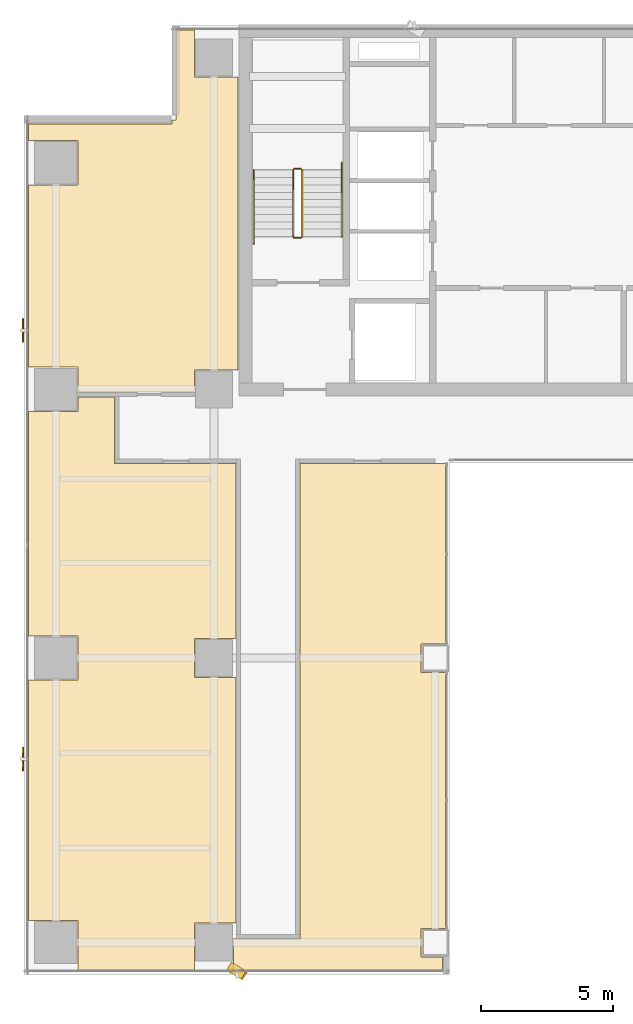
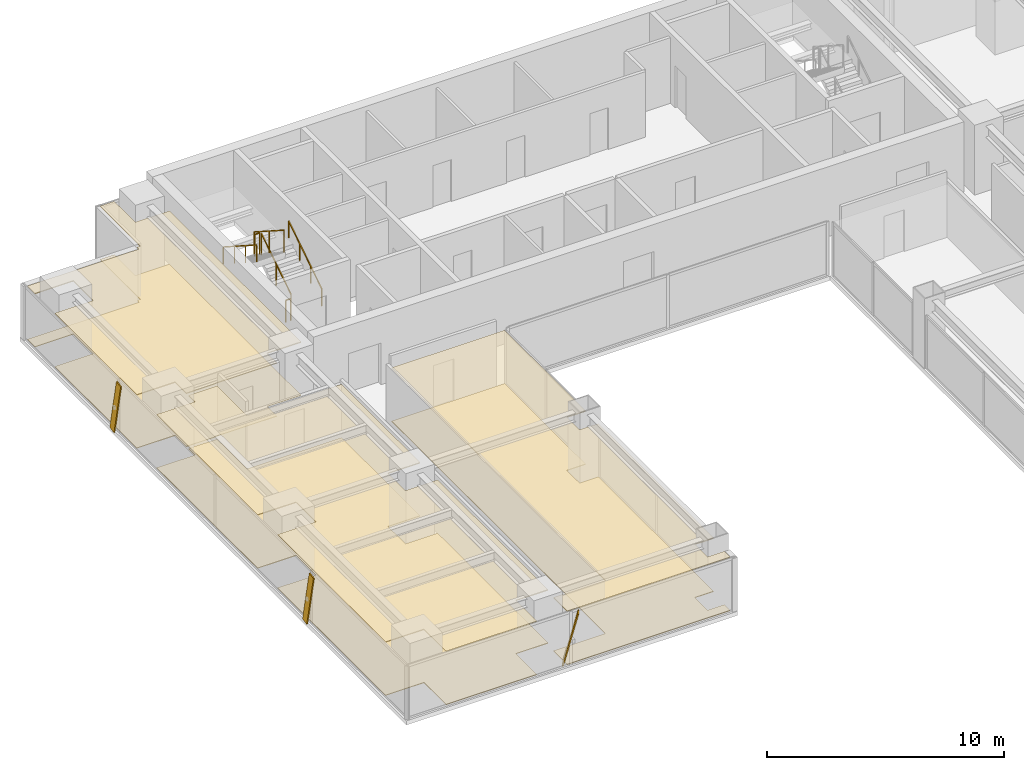
# One storey, part 26 of 29: 6 coverings, 6 railings, 3 shading devices.
"""IFC4 building model written with IfcOpenShell, lengths in metres."""

from ifc_helpers import new_model, si_unit, direction, frame, origin, origin_2d, place, context, subcontext, project, spatial, polyline, rectangle, outline, extrude, source, transform, mapped, material, layer, layer_set, material_profile, profile_set, type_object, element, save


model = new_model("IFC4")

# Units and contexts
model_context = context("Model", 3, precision=1e-05, world=origin(), true_north=direction((0.0, 1.0)))
body_context = subcontext(model_context, "Body", "Model", "MODEL_VIEW")
ifc_project = project(units=[si_unit("LENGTHUNIT", "METRE"), si_unit("AREAUNIT", "SQUARE_METRE"), si_unit("VOLUMEUNIT", "CUBIC_METRE"), si_unit("PLANEANGLEUNIT", "RADIAN"), si_unit("MASSUNIT", "GRAM", prefix="KILO")], contexts=[model_context])

# Site, building, storey
site_placement = place(None, origin())
site = spatial("IfcSite", under=ifc_project, at=site_placement, CompositionType="ELEMENT")
building_placement = place(site_placement, origin())
building = spatial("IfcBuilding", under=site, at=building_placement, Name="Sumidabori Civic Tower", CompositionType="ELEMENT")
storey_placement = place(building_placement, frame((0.0, 0.0, 207.199951171875)))
storey = spatial("IfcBuildingStorey", under=building, at=storey_placement, Name="L53", CompositionType="ELEMENT", Elevation=207.199951171875)

# Coverings
ifc_material_1 = material(Name="Perforated Timber Acoustic Ceiling", Category="wood")
ifc_layer_1 = layer(ifc_material_1, 0.044921875, Name="Perforated Timber Acoustic Ceiling")
ifc_layer_set_1 = layer_set([ifc_layer_1], Name="Perforated Timber Acoustic Ceiling")
covering_type_1 = type_object("IfcCoveringType", Name="CV-CEIL-AC2", PredefinedType="CEILING", material=ifc_layer_set_1)
covering_1_placement = place(storey_placement, frame((0.0, 0.0, 2.72998046875)))
element("IfcCovering", 1, at=covering_1_placement, inside=storey, type_object=covering_type_1, Name="Room Acoustic Ceiling L53-01", PredefinedType="CEILING", context=body_context, shape_type="SweptSolid", body=[
    extrude(outline(polyline([(-23.830078125, 17.9599609375), (-21.9599609375, 17.9599609375), (-21.9599609375, 19.639892578125), (-23.830078125, 19.639892578125), (-23.830078125, 20.27197265625), (-18.39208984375, 20.27197265625), (-18.39208984375, 20.429931640625), (-18.22998046875, 20.429931640625), (-18.22998046875, 23.830078125), (-17.5400390625, 23.830078125), (-17.5400390625, 22.06005859375), (-15.8779296875, 22.06005859375), (-15.8779296875, 10.93994140625), (-17.5400390625, 10.93994140625), (-17.5400390625, 10.1201171875), (-20.570068359375, 10.1201171875), (-20.570068359375, 10.094970703125), (-21.9599609375, 10.094970703125), (-21.9599609375, 11.0400390625), (-23.830078125, 11.0400390625), (-23.830078125, 17.9599609375)])), origin(), (0.0, 0.0, 1.0), 0.045166015625),
])
covering_2_placement = place(storey_placement, frame((0.0, 0.0, 2.72998046875)))
element("IfcCovering", 2, at=covering_2_placement, inside=storey, type_object=covering_type_1, Name="Room Acoustic Ceiling L53-03", PredefinedType="CEILING", context=body_context, shape_type="SweptSolid", body=[
    extrude(outline(polyline([(-23.830078125, -0.840087890625), (-21.9599609375, -0.840087890625), (-21.9599609375, 0.840087890625), (-23.830078125, 0.840087890625), (-23.830078125, 9.360107421875), (-21.9599609375, 9.360107421875), (-21.9599609375, 9.905029296875), (-20.570068359375, 9.905029296875), (-20.570068359375, 7.3798828125), (-15.969970703125, 7.3798828125), (-15.969970703125, 0.739990234375), (-17.5400390625, 0.739990234375), (-17.5400390625, -0.739990234375), (-15.969970703125, -0.739990234375), (-15.969970703125, -10.06005859375), (-17.5400390625, -10.06005859375), (-17.5400390625, -11.830078125), (-21.9599609375, -11.830078125), (-21.9599609375, -9.9599609375), (-23.830078125, -9.9599609375), (-23.830078125, -0.840087890625)])), origin(), (0.0, 0.0, 1.0), 0.045166015625),
])
covering_3_placement = place(storey_placement, frame((0.0, 0.0, 2.72998046875)))
element("IfcCovering", 3, at=covering_3_placement, inside=storey, type_object=covering_type_1, Name="Room Acoustic Ceiling L53-05", PredefinedType="CEILING", context=body_context, shape_type="SweptSolid", body=[
    extrude(outline(polyline([(-16.06005859375, -10.669921875), (-13.530029296875, -10.669921875), (-13.530029296875, 7.3798828125), (-8.02001953125, 7.3798828125), (-8.02001953125, 0.5400390625), (-8.93994140625, 0.5400390625), (-8.93994140625, -0.5400390625), (-8.02001953125, -0.5400390625), (-8.02001953125, -10.260009765625), (-8.93994140625, -10.260009765625), (-8.93994140625, -11.340087890625), (-8.117919921875, -11.341796875), (-8.117919921875, -11.830078125), (-16.06005859375, -11.830078125), (-16.06005859375, -10.669921875)])), origin(), (0.0, 0.0, 1.0), 0.045166015625),
])
ifc_material_2 = material(Name="Honed Terrazzo Tile Flooring")
ifc_layer_2 = layer(ifc_material_2, 0.030029296875, Name="Honed Terrazzo Tile Flooring")
ifc_layer_set_2 = layer_set([ifc_layer_2], Name="Honed Terrazzo Tile Flooring")
covering_type_2 = type_object("IfcCoveringType", Name="CV-FLR-TER", PredefinedType="FLOORING", material=ifc_layer_set_2)
covering_4_placement = place(storey_placement, origin())
element("IfcCovering", 4, at=covering_4_placement, inside=storey, type_object=covering_type_2, Name="Room Terrazzo Floor L53-01", PredefinedType="FLOORING", context=body_context, shape_type="SweptSolid", body=[
    extrude(outline(polyline([(-23.830078125, 17.9599609375), (-21.9599609375, 17.9599609375), (-21.9599609375, 19.639892578125), (-23.830078125, 19.639892578125), (-23.830078125, 20.27197265625), (-18.39208984375, 20.27197265625), (-18.39208984375, 20.429931640625), (-18.22998046875, 20.429931640625), (-18.22998046875, 23.830078125), (-17.5400390625, 23.830078125), (-17.5400390625, 22.06005859375), (-15.8779296875, 22.06005859375), (-15.8779296875, 10.93994140625), (-17.5400390625, 10.93994140625), (-17.5400390625, 10.1201171875), (-20.570068359375, 10.1201171875), (-20.570068359375, 10.094970703125), (-21.9599609375, 10.094970703125), (-21.9599609375, 11.0400390625), (-23.830078125, 11.0400390625), (-23.830078125, 17.9599609375)])), origin(), (0.0, 0.0, 1.0), 0.030029296875),
])
covering_5_placement = place(storey_placement, origin())
element("IfcCovering", 5, at=covering_5_placement, inside=storey, type_object=covering_type_2, Name="Room Terrazzo Floor L53-03", PredefinedType="FLOORING", context=body_context, shape_type="SweptSolid", body=[
    extrude(outline(polyline([(-23.830078125, -0.840087890625), (-21.9599609375, -0.840087890625), (-21.9599609375, 0.840087890625), (-23.830078125, 0.840087890625), (-23.830078125, 9.360107421875), (-21.9599609375, 9.360107421875), (-21.9599609375, 9.905029296875), (-20.570068359375, 9.905029296875), (-20.570068359375, 7.3798828125), (-15.969970703125, 7.3798828125), (-15.969970703125, 0.739990234375), (-17.5400390625, 0.739990234375), (-17.5400390625, -0.739990234375), (-15.969970703125, -0.739990234375), (-15.969970703125, -10.06005859375), (-17.5400390625, -10.06005859375), (-17.5400390625, -11.830078125), (-21.9599609375, -11.830078125), (-21.9599609375, -9.9599609375), (-23.830078125, -9.9599609375), (-23.830078125, -0.840087890625)])), origin(), (0.0, 0.0, 1.0), 0.030029296875),
])
covering_6_placement = place(storey_placement, origin())
element("IfcCovering", 6, at=covering_6_placement, inside=storey, type_object=covering_type_2, Name="Room Terrazzo Floor L53-05", PredefinedType="FLOORING", context=body_context, shape_type="SweptSolid", body=[
    extrude(outline(polyline([(-16.06005859375, -10.669921875), (-13.530029296875, -10.669921875), (-13.530029296875, 7.3798828125), (-8.02001953125, 7.3798828125), (-8.02001953125, 0.5400390625), (-8.93994140625, 0.5400390625), (-8.93994140625, -0.5400390625), (-8.02001953125, -0.5400390625), (-8.02001953125, -10.260009765625), (-8.93994140625, -10.260009765625), (-8.93994140625, -11.340087890625), (-8.117919921875, -11.341796875), (-8.117919921875, -11.830078125), (-16.06005859375, -11.830078125), (-16.06005859375, -10.669921875)])), origin(), (0.0, 0.0, 1.0), 0.030029296875),
])

# Railings
ifc_material_3 = material(Name="Stainless Steel Hairline Finish", Category="steel")
railing_type_1 = type_object("IfcRailingType", Name="RL-HANDRAIL", PredefinedType="HANDRAIL", material=ifc_material_3)
railing_1_placement = place(storey_placement, frame((-11.949951171875, 16.0, 0.179931640625)))
element("IfcRailing", 7, at=railing_1_placement, inside=storey, type_object=railing_type_1, Name="L53 ST-1 stair handrail 1", PredefinedType="HANDRAIL", context=body_context, shape_type="SweptSolid", body=[
    extrude(rectangle(XDim=0.048095703125, YDim=0.048095703125, at=origin_2d()), frame((0.0, 0.0, 0.8759765625), z_axis=(0.0, 0.84064222762, 0.54159084662), x_axis=(-1.0, 0.0, 0.0)), (0.0, 0.0, 1.0), 3.330810546875),
    extrude(rectangle(XDim=0.0419921875, YDim=0.0419921875, at=origin_2d()), origin(), (0.0, 0.0, 1.0), 0.851806640625),
    extrude(rectangle(XDim=0.0419921875, YDim=0.0419921875, at=origin_2d()), frame((0.0, 0.933349609375, 0.601318359375)), (0.0, 0.0, 1.0), 0.851806640625),
    extrude(rectangle(XDim=0.0419921875, YDim=0.0419921875, at=origin_2d()), frame((0.0, 1.86669921875, 1.20263671875)), (0.0, 0.0, 1.0), 0.851806640625),
    extrude(rectangle(XDim=0.0419921875, YDim=0.0419921875, at=origin_2d()), frame((0.0, 2.800048828125, 1.803955078125)), (0.0, 0.0, 1.0), 0.851806640625),
])
railing_2_placement = place(storey_placement, frame((-15.2900390625, 18.52001953125, 1.97998046875)))
element("IfcRailing", 8, at=railing_2_placement, inside=storey, type_object=railing_type_1, Name="L53 ST-1 stair handrail 2", PredefinedType="HANDRAIL", context=body_context, shape_type="SweptSolid", body=[
    extrude(rectangle(XDim=0.048095703125, YDim=0.048095703125, at=origin_2d()), frame((0.0, 0.0, 0.8759765625), z_axis=(0.0, -0.84064222762, 0.54159084662), x_axis=(1.0, 0.0, 0.0)), (0.0, 0.0, 1.0), 3.330810546875),
    extrude(rectangle(XDim=0.0419921875, YDim=0.0419921875, at=origin_2d()), origin(), (0.0, 0.0, 1.0), 0.851806640625),
    extrude(rectangle(XDim=0.0419921875, YDim=0.0419921875, at=origin_2d()), frame((0.0, -0.933349609375, 0.601318359375)), (0.0, 0.0, 1.0), 0.851806640625),
    extrude(rectangle(XDim=0.0419921875, YDim=0.0419921875, at=origin_2d()), frame((0.0, -1.86669921875, 1.20263671875)), (0.0, 0.0, 1.0), 0.851806640625),
    extrude(rectangle(XDim=0.0419921875, YDim=0.0419921875, at=origin_2d()), frame((0.0, -2.800048828125, 1.803955078125)), (0.0, 0.0, 1.0), 0.851806640625),
])
ifc_material_4 = material(Name="Steel SN490", Category="steel")
railing_type_2 = type_object("IfcRailingType", Name="RL-STAIR-GUARD", PredefinedType="GUARDRAIL", material=ifc_material_4)
railing_3_placement = place(storey_placement, frame((-13.449951171875, 16.0, 0.179931640625)))
element("IfcRailing", 9, at=railing_3_placement, inside=storey, type_object=railing_type_2, Name="L53 ST-1 stair guard 1", PredefinedType="GUARDRAIL", context=body_context, shape_type="SweptSolid", body=[
    extrude(rectangle(XDim=0.048095703125, YDim=0.048095703125, at=origin_2d()), frame((0.0, 0.0, 1.1259765625), z_axis=(0.0, 0.841162588446, 0.540782303519), x_axis=(-1.0, 0.0, 0.0)), (0.0, 0.0, 1.0), 2.995849609375),
    extrude(rectangle(XDim=0.0419921875, YDim=0.0419921875, at=origin_2d()), origin(), (0.0, 0.0, 1.0), 1.101806640625),
    extrude(rectangle(XDim=0.0419921875, YDim=0.0419921875, at=origin_2d()), frame((0.0, 1.260009765625, 0.81005859375)), (0.0, 0.0, 1.0), 1.101806640625),
    extrude(rectangle(XDim=0.0419921875, YDim=0.0419921875, at=origin_2d()), frame((0.0, 2.52001953125, 1.6201171875)), (0.0, 0.0, 1.0), 1.101806640625),
])
railing_4_placement = place(storey_placement, frame((-13.5, 18.570068359375, 1.800048828125)))
element("IfcRailing", 10, at=railing_4_placement, inside=storey, type_object=railing_type_2, Name="L53 ST-1 stair guard 2", PredefinedType="GUARDRAIL", context=body_context, shape_type="SweptSolid", body=[
    extrude(rectangle(XDim=0.048095703125, YDim=0.048095703125, at=origin_2d()), frame((0.0, 0.0, 1.1259765625), z_axis=(-1.0, 0.0, 0.0), x_axis=(0.0, -1.0, 0.0)), (0.0, 0.0, 1.0), 0.239990234375),
    extrude(rectangle(XDim=0.0419921875, YDim=0.0419921875, at=origin_2d()), origin(), (0.0, 0.0, 1.0), 1.101806640625),
    extrude(rectangle(XDim=0.0419921875, YDim=0.0419921875, at=origin_2d()), frame((-0.239990234375, 0.0, 0.0)), (0.0, 0.0, 1.0), 1.101806640625),
])
railing_5_placement = place(storey_placement, frame((-13.7900390625, 18.52001953125, 1.97998046875)))
element("IfcRailing", 11, at=railing_5_placement, inside=storey, type_object=railing_type_2, Name="L53 ST-1 stair guard 3", PredefinedType="GUARDRAIL", context=body_context, shape_type="SweptSolid", body=[
    extrude(rectangle(XDim=0.048095703125, YDim=0.048095703125, at=origin_2d()), frame((0.0, 0.0, 1.1259765625), z_axis=(0.0, -0.841162588446, 0.540782303519), x_axis=(1.0, 0.0, 0.0)), (0.0, 0.0, 1.0), 2.995849609375),
    extrude(rectangle(XDim=0.0419921875, YDim=0.0419921875, at=origin_2d()), origin(), (0.0, 0.0, 1.0), 1.101806640625),
    extrude(rectangle(XDim=0.0419921875, YDim=0.0419921875, at=origin_2d()), frame((0.0, -1.260009765625, 0.81005859375)), (0.0, 0.0, 1.0), 1.101806640625),
    extrude(rectangle(XDim=0.0419921875, YDim=0.0419921875, at=origin_2d()), frame((0.0, -2.52001953125, 1.6201171875)), (0.0, 0.0, 1.0), 1.101806640625),
])
railing_6_placement = place(storey_placement, frame((-13.5, 15.949951171875, 0.0)))
element("IfcRailing", 12, at=railing_6_placement, inside=storey, type_object=railing_type_2, Name="L53 ST-1 stair guard 4", PredefinedType="GUARDRAIL", context=body_context, shape_type="SweptSolid", body=[
    extrude(rectangle(XDim=0.048095703125, YDim=0.048095703125, at=origin_2d()), frame((0.0, 0.0, 1.1259765625), z_axis=(-1.0, 0.0, 0.0), x_axis=(0.0, -1.0, 0.0)), (0.0, 0.0, 1.0), 0.239990234375),
    extrude(rectangle(XDim=0.0419921875, YDim=0.0419921875, at=origin_2d()), origin(), (0.0, 0.0, 1.0), 1.101806640625),
    extrude(rectangle(XDim=0.0419921875, YDim=0.0419921875, at=origin_2d()), frame((-0.239990234375, 0.0, 0.0)), (0.0, 0.0, 1.0), 1.101806640625),
])

# Shading devices
ifc_material_5 = material(Name="Anodised Bronze Aluminium AW-6063-T6", Category="aluminium")
ifc_material_profile = material_profile(ifc_material_5, rectangle(XDim=0.054931640625, YDim=0.360107421875, at=origin_2d()), Name="BRONZE FIN 360x55")
ifc_profile_set = profile_set([ifc_material_profile], Name="Anodised Bronze Aluminium AW-6063-T6")
shading_device_type = type_object("IfcShadingDeviceType", Name="SH-FIN-360", PredefinedType="USERDEFINED", material=ifc_profile_set)
shared_shape_1 = source(origin(), body_context, "Body", "SweptSolid", [
    extrude(rectangle(XDim=0.054931640625, YDim=0.360107421875, at=origin_2d()), origin(), (0.0, 0.0, 1.0), 2.7783203125),
])
shading_device_placement = place(storey_placement, frame((-16.205078125, -11.7099609375, 0.02001953125), z_axis=(0.201581748781, -0.122407748933, 0.971792746196), x_axis=(0.830641884105, -0.504395878186, -0.235836507862)))
element("IfcShadingDevice", 13, at=shading_device_placement, inside=storey, type_object=shading_device_type, Name="Bronze Anodised Diagonal Fin L53-01", ObjectType="FIN", PredefinedType="USERDEFINED", context=body_context, shape_type="MappedRepresentation", body=[
    mapped(shared_shape_1, transform((0.0, 0.0, 0.0), x_axis=(1.0, 0.0, 0.0), y_axis=(0.0, 1.0, 0.0), z_axis=(0.0, 0.0, 1.0), scale=1.0)),
])
shared_shape_2 = source(origin(), body_context, "Body", "SweptSolid", [
    extrude(rectangle(XDim=0.054931640625, YDim=0.360107421875, at=origin_2d()), origin(), (0.0, 0.0, 1.0), 2.75732421875),
])
for number, where, z_axis, x_axis, name in (
    (14, (-24.050048828125, 12.715087890625, 0.02001953125), (0.0, -0.203109150817, 0.979156102393), (-1.0, 0.0, 0.0), "Bronze Anodised Diagonal Fin L53-01"),
    (15, (-24.050048828125, -3.554931640625, 0.02001953125), (0.0, -0.203109150817, 0.979156102393), (-1.0, 0.0, 0.0), "Bronze Anodised Diagonal Fin L53-03"),
):
    element("IfcShadingDevice", number, at=place(storey_placement, frame(where, z_axis=z_axis, x_axis=x_axis)), inside=storey, type_object=shading_device_type, Name=name, ObjectType="FIN", PredefinedType="USERDEFINED", context=body_context, shape_type="MappedRepresentation", body=[
        mapped(shared_shape_2, transform((0.0, 0.0, 0.0), x_axis=(1.0, 0.0, 0.0), y_axis=(0.0, 1.0, 0.0), z_axis=(0.0, 0.0, 1.0), scale=1.0)),
    ])

save(model, "model.ifc")
